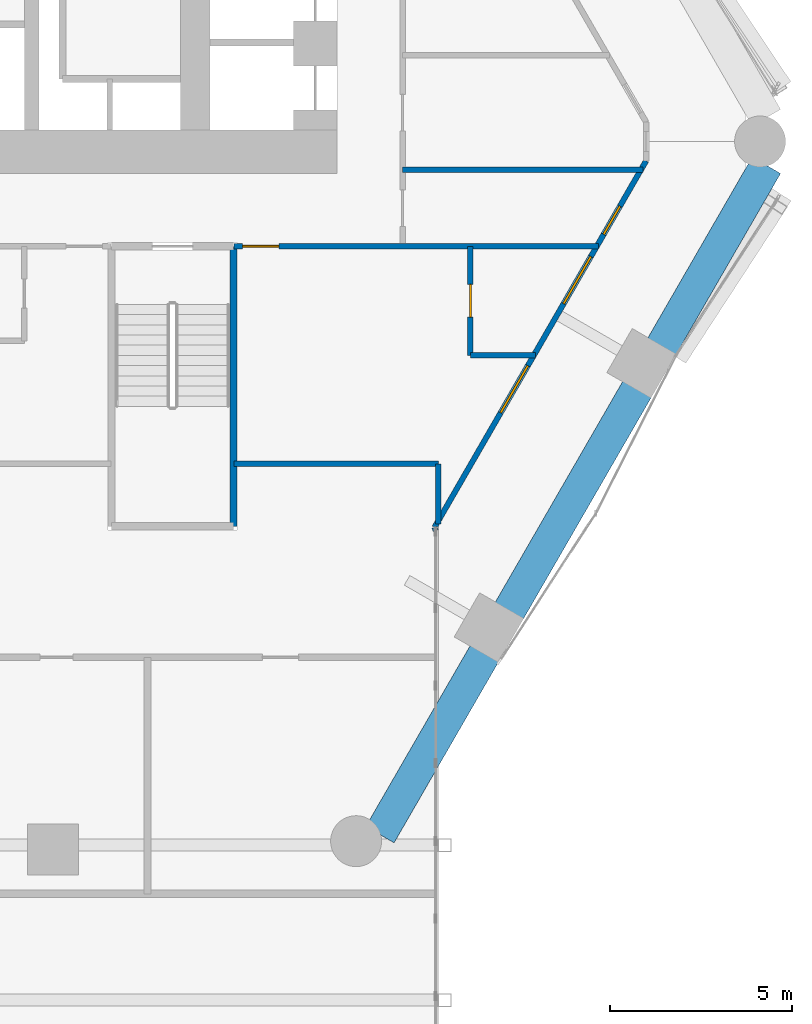
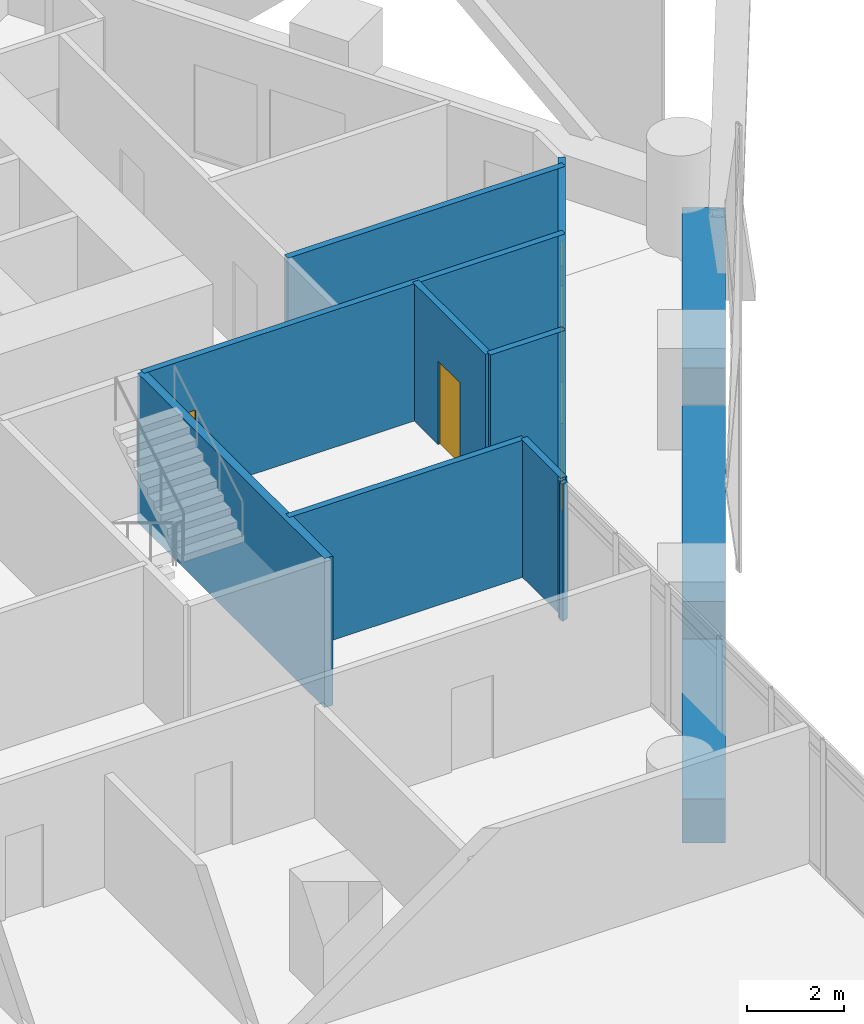
# One storey, part 27 of 35: 12 walls, 3 windows, 2 doors, 5 openings.
"""IFC4 building model written with IfcOpenShell, lengths in metres."""

from ifc_helpers import new_model, si_unit, direction, frame, frame_2d, origin, place, context, subcontext, project, spatial, rectangle, extrude, material, layer, layer_set, type_object, element, fill, save


model = new_model("IFC4")

# Units and contexts
model_context = context("Model", 3, precision=1e-05, world=origin(), true_north=direction((0.0, 1.0)))
body_context = subcontext(model_context, "Body", "Model", "MODEL_VIEW")
ifc_project = project(units=[si_unit("LENGTHUNIT", "METRE"), si_unit("AREAUNIT", "SQUARE_METRE"), si_unit("VOLUMEUNIT", "CUBIC_METRE"), si_unit("PLANEANGLEUNIT", "RADIAN"), si_unit("MASSUNIT", "GRAM", prefix="KILO")], contexts=[model_context])

# Site, building, storey
site_placement = place(None, origin())
site = spatial("IfcSite", under=ifc_project, at=site_placement, CompositionType="ELEMENT")
building_placement = place(site_placement, origin())
building = spatial("IfcBuilding", under=site, at=building_placement, Name="Ostrander Bayou Hotel Tower", CompositionType="ELEMENT")
storey_placement = place(building_placement, frame((0.0, 0.0, 69.25)))
storey = spatial("IfcBuildingStorey", under=building, at=storey_placement, Name="L17", CompositionType="ELEMENT", Elevation=69.25)

# Wall, openings, windows
ifc_material_1 = material(Name="Aluminium framed insulated wall", Category="aluminium")
ifc_layer_1 = layer(ifc_material_1, 0.14990234375)
ifc_layer_set_1 = layer_set([ifc_layer_1], Name="GW1 glass-line wall 150 mm")
wall_type_1 = type_object("IfcWallType", Name="GW1 glass-line wall 150 mm", PredefinedType="SOLIDWALL", material=ifc_layer_set_1)
wall_1_placement = place(storey_placement, frame((14.678955078125, -11.42529296875, 0.0), z_axis=(0.0, 0.0, 1.0), x_axis=(0.500010091595, 0.866019577321, 0.0)))
wall_1 = element("IfcWall", 1, at=wall_1_placement, inside=storey, type_object=wall_type_1, Name="GW1 L17 SE 1", PredefinedType="SOLIDWALL", context=body_context, shape_type="SweptSolid", body=[
    extrude(rectangle(XDim=11.633056640625, YDim=0.14990234375, at=frame_2d((5.81640625, 0.0))), origin(), (0.0, 0.0, 1.0), 3.449951171875),
])
opening_1_placement = place(wall_1_placement, frame((3.63232421875, 0.0, 0.14990234375)))
opening_1 = element("IfcOpeningElement", 2, at=opening_1_placement, cuts=wall_1, Name="Opening W11", PredefinedType="OPENING", context=body_context, shape_type="SweptSolid", body=[
    extrude(rectangle(XDim=1.5, YDim=2.199951171875, at=frame_2d((0.75, 1.10009765625))), frame((0.0, 0.074951171875, 0.0), z_axis=(0.0, -1.0, 0.0), x_axis=(1.0, 0.0, 0.0)), (0.0, 0.0, 1.0), 0.14990234375),
])
opening_2_placement = place(wall_1_placement, frame((9.29638671875, 0.0, 0.14990234375)))
opening_2 = element("IfcOpeningElement", 3, at=opening_2_placement, cuts=wall_1, Name="Opening W15", PredefinedType="OPENING", context=body_context, shape_type="SweptSolid", body=[
    extrude(rectangle(XDim=0.89990234375, YDim=2.199951171875, at=frame_2d((0.449951171875, 1.10009765625))), frame((0.0, 0.074951171875, 0.0), z_axis=(0.0, -1.0, 0.0), x_axis=(1.0, 0.0, 0.0)), (0.0, 0.0, 1.0), 0.14990234375),
])
opening_3_placement = place(wall_1_placement, frame((7.09619140625, 0.0, 0.14990234375)))
opening_3 = element("IfcOpeningElement", 4, at=opening_3_placement, cuts=wall_1, Name="Opening W11", PredefinedType="OPENING", context=body_context, shape_type="SweptSolid", body=[
    extrude(rectangle(XDim=1.5, YDim=2.199951171875, at=frame_2d((0.75, 1.10009765625))), frame((0.0, 0.074951171875, 0.0), z_axis=(0.0, -1.0, 0.0), x_axis=(1.0, 0.0, 0.0)), (0.0, 0.0, 1.0), 0.14990234375),
])
ifc_material_2 = material(Name="Aluminium and clear glass", Category="aluminium")
window_type_1 = type_object("IfcWindowType", Name="W11 fixed window 1500 mm, bath bay, zone 1", PartitioningType="SINGLE_PANEL", PredefinedType="WINDOW", material=ifc_material_2)
window_1_placement = place(opening_1_placement, origin())
window_1 = element("IfcWindow", 5, at=window_1_placement, inside=storey, type_object=window_type_1, Name="W11 L17 SE 3", OverallHeight=2.199951171875, OverallWidth=1.5, PartitioningType="SINGLE_PANEL", PredefinedType="WINDOW", context=body_context, shape_type="SweptSolid", body=[
    extrude(rectangle(XDim=1.5, YDim=2.199951171875, at=frame_2d((0.75, 1.10009765625))), frame((0.0, 0.030029296875, 0.0), z_axis=(0.0, -1.0, 0.0), x_axis=(1.0, 0.0, 0.0)), (0.0, 0.0, 1.0), 0.06005859375),
])
fill(opening_1, window_1)
window_2_placement = place(opening_3_placement, origin())
window_2 = element("IfcWindow", 6, at=window_2_placement, inside=storey, type_object=window_type_1, Name="W11 L17 SE 4", OverallHeight=2.199951171875, OverallWidth=1.5, PartitioningType="SINGLE_PANEL", PredefinedType="WINDOW", context=body_context, shape_type="SweptSolid", body=[
    extrude(rectangle(XDim=1.5, YDim=2.199951171875, at=frame_2d((0.75, 1.10009765625))), frame((0.0, 0.030029296875, 0.0), z_axis=(0.0, -1.0, 0.0), x_axis=(1.0, 0.0, 0.0)), (0.0, 0.0, 1.0), 0.06005859375),
])
fill(opening_3, window_2)
ifc_material_3 = material(Name="Aluminium and clear glass", Category="aluminium")
window_type_2 = type_object("IfcWindowType", Name="W15 window 900 mm, zone 1", PartitioningType="SINGLE_PANEL", PredefinedType="WINDOW", material=ifc_material_3)
window_3_placement = place(opening_2_placement, origin())
window_3 = element("IfcWindow", 7, at=window_3_placement, inside=storey, type_object=window_type_2, Name="W15 L17 SE 4", OverallHeight=2.199951171875, OverallWidth=0.89990234375, PartitioningType="SINGLE_PANEL", PredefinedType="WINDOW", context=body_context, shape_type="SweptSolid", body=[
    extrude(rectangle(XDim=0.89990234375, YDim=2.199951171875, at=frame_2d((0.449951171875, 1.10009765625))), frame((0.0, 0.030029296875, 0.0), z_axis=(0.0, -1.0, 0.0), x_axis=(1.0, 0.0, 0.0)), (0.0, 0.0, 1.0), 0.06005859375),
])
fill(opening_2, window_3)

# Walls
wall_2_placement = place(storey_placement, frame((14.678955078125, -11.42529296875, 0.0), z_axis=(0.0, 0.0, 1.0), x_axis=(0.338543167143, -0.940950861619, 0.0)))
element("IfcWall", 8, at=wall_2_placement, inside=storey, type_object=wall_type_1, Name="GW1 L17 bar joint 2", PredefinedType="SOLIDWALL", context=body_context, shape_type="SweptSolid", body=[
    extrude(rectangle(XDim=0.09814453125, YDim=0.14990234375, at=frame_2d((0.049072265625, 0.0))), origin(), (0.0, 0.0, 1.0), 3.449951171875),
])
ifc_material_4 = material(Name="Limestone masonry", Category="masonry")
ifc_layer_2 = layer(ifc_material_4, 0.89990234375)
ifc_layer_set_2 = layer_set([ifc_layer_2], Name="PA2 limestone parapet 900 mm")
wall_type_2 = type_object("IfcWallType", Name="PA2 limestone parapet 900 mm", PredefinedType="PARAPET", material=ifc_layer_set_2)
wall_3_placement = place(storey_placement, frame((13.177490234375, -19.875732421875, 0.0), z_axis=(0.0, 0.0, 1.0), x_axis=(0.500014818852, 0.866016847947, 0.0)))
element("IfcWall", 9, at=wall_3_placement, inside=storey, type_object=wall_type_2, Name="PA2 L17 SE-1", PredefinedType="PARAPET", context=body_context, shape_type="SweptSolid", body=[
    extrude(rectangle(XDim=5.758544921875, YDim=0.89990234375, at=frame_2d((2.87939453125, 0.0))), origin(), (0.0, 0.0, 1.0), 1.10009765625),
])
wall_4_placement = place(storey_placement, frame((16.726806640625, -13.72802734375, 0.0), z_axis=(0.0, 0.0, 1.0), x_axis=(0.499997206141, 0.866027016814, 0.0)))
element("IfcWall", 10, at=wall_4_placement, inside=storey, type_object=wall_type_2, Name="PA2 L17 SE-2", PredefinedType="PARAPET", context=body_context, shape_type="SweptSolid", body=[
    extrude(rectangle(XDim=7.05078125, YDim=0.89990234375, at=frame_2d((3.525390625, 0.0))), origin(), (0.0, 0.0, 1.0), 1.10009765625),
])
wall_5_placement = place(storey_placement, frame((20.92236328125, -6.46142578125, 0.0), z_axis=(0.0, 0.0, 1.0), x_axis=(0.499996461177, 0.866027446915, 0.0)))
element("IfcWall", 11, at=wall_5_placement, inside=storey, type_object=wall_type_2, Name="PA2 L17 SE-3", PredefinedType="PARAPET", context=body_context, shape_type="SweptSolid", body=[
    extrude(rectangle(XDim=5.7587890625, YDim=0.89990234375, at=frame_2d((2.87939453125, 0.0))), origin(), (0.0, 0.0, 1.0), 1.10009765625),
])
ifc_material_5 = material(Name="Gypsum board partition", Category="finish")
ifc_layer_3 = layer(ifc_material_5, 0.14990234375)
ifc_layer_set_3 = layer_set([ifc_layer_3], Name="PT8 service band wall 150 mm, 1 hour")
wall_type_3 = type_object("IfcWallType", Name="PT8 service band wall 150 mm, 1 hour", PredefinedType="PARTITIONING", material=ifc_layer_set_3)
wall_6_placement = place(storey_placement, frame((9.159912109375, -9.679931640625, 0.0), z_axis=(0.0, 0.0, 1.0), x_axis=(1.0, 0.0, 0.0)))
element("IfcWall", 12, at=wall_6_placement, inside=storey, type_object=wall_type_3, Name="gw:L17:003", PredefinedType="PARTITIONING", context=body_context, shape_type="SweptSolid", body=[
    extrude(rectangle(XDim=5.625, YDim=0.14990234375, at=frame_2d((2.8125, 0.0))), origin(), (0.0, 0.0, 1.0), 3.449951171875),
])
wall_7_placement = place(storey_placement, frame((15.6650390625, -6.699951171875, 0.0), z_axis=(0.0, 0.0, 1.0), x_axis=(1.0, 0.0, 0.0)))
element("IfcWall", 13, at=wall_7_placement, inside=storey, type_object=wall_type_3, Name="gw:L17:005", PredefinedType="PARTITIONING", context=body_context, shape_type="SweptSolid", body=[
    extrude(rectangle(XDim=1.7939453125, YDim=0.14990234375, at=frame_2d((0.89697265625, 0.0))), origin(), (0.0, 0.0, 1.0), 3.449951171875),
])

# Wall, opening, door
wall_8_placement = place(storey_placement, frame((9.159912109375, -3.699951171875, 0.0), z_axis=(0.0, 0.0, 1.0), x_axis=(1.0, 0.0, 0.0)))
wall_8 = element("IfcWall", 14, at=wall_8_placement, inside=storey, type_object=wall_type_3, Name="gw:L17:010", PredefinedType="PARTITIONING", context=body_context, shape_type="SweptSolid", body=[
    extrude(rectangle(XDim=10.031005859375, YDim=0.14990234375, at=frame_2d((5.015625, 0.0))), origin(), (0.0, 0.0, 1.0), 3.449951171875),
])
opening_4_placement = place(wall_8_placement, frame((0.239990234375, 0.0, 0.0)))
opening_4 = element("IfcOpeningElement", 15, at=opening_4_placement, cuts=wall_8, Name="Opening T16-405", PredefinedType="OPENING", context=body_context, shape_type="SweptSolid", body=[
    extrude(rectangle(XDim=1.0, YDim=2.10009765625, at=frame_2d((0.5, 1.050048828125))), frame((0.0, 0.074951171875, 0.0), z_axis=(0.0, -1.0, 0.0), x_axis=(1.0, 0.0, 0.0)), (0.0, 0.0, 1.0), 0.14990234375),
])
ifc_material_6 = material(Name="Timber door leaf", Category="wood")
door_type_1 = type_object("IfcDoorType", Name="D1 guest room door 1000 x 2100 mm, 30 minute", OperationType="SINGLE_SWING_LEFT", PredefinedType="DOOR", material=ifc_material_6)
door_1_placement = place(opening_4_placement, origin())
door_1 = element("IfcDoor", 16, at=door_1_placement, inside=storey, type_object=door_type_1, Name="dr:L17:405", OperationType="SINGLE_SWING_LEFT", OverallHeight=2.10009765625, OverallWidth=1.0, PredefinedType="DOOR", context=body_context, shape_type="SweptSolid", body=[
    extrude(rectangle(XDim=1.0, YDim=2.10009765625, at=frame_2d((0.5, 1.050048828125))), frame((0.0, 0.02490234375, 0.0), z_axis=(0.0, -1.0, 0.0), x_axis=(1.0, 0.0, 0.0)), (0.0, 0.0, 1.0), 0.050048828125),
])
fill(opening_4, door_1)

# Wall
wall_9_placement = place(storey_placement, frame((13.800048828125, -1.60009765625, 0.0), z_axis=(0.0, 0.0, 1.0), x_axis=(1.0, 0.0, 0.0)))
element("IfcWall", 17, at=wall_9_placement, inside=storey, type_object=wall_type_3, Name="gw:L17:012", PredefinedType="PARTITIONING", context=body_context, shape_type="SweptSolid", body=[
    extrude(rectangle(XDim=6.60400390625, YDim=0.14990234375, at=frame_2d((3.302001953125, 0.0))), origin(), (0.0, 0.0, 1.0), 3.449951171875),
])

# Wall, opening, door
wall_10_placement = place(storey_placement, frame((15.6650390625, -6.699951171875, 0.0), z_axis=(0.0, 0.0, 1.0), x_axis=(0.0, 1.0, 0.0)))
wall_10 = element("IfcWall", 18, at=wall_10_placement, inside=storey, type_object=wall_type_3, Name="gw:L17:018", PredefinedType="PARTITIONING", context=body_context, shape_type="SweptSolid", body=[
    extrude(rectangle(XDim=3.0, YDim=0.14990234375, at=frame_2d((1.5, 0.0))), origin(), (0.0, 0.0, 1.0), 3.449951171875),
])
opening_5_placement = place(wall_10_placement, frame((1.050048828125, 0.0, 0.0)))
opening_5 = element("IfcOpeningElement", 19, at=opening_5_placement, cuts=wall_10, Name="Opening T16-406", PredefinedType="OPENING", context=body_context, shape_type="SweptSolid", body=[
    extrude(rectangle(XDim=0.89990234375, YDim=2.10009765625, at=frame_2d((0.449951171875, 1.050048828125))), frame((0.0, 0.074951171875, 0.0), z_axis=(0.0, -1.0, 0.0), x_axis=(1.0, 0.0, 0.0)), (0.0, 0.0, 1.0), 0.14990234375),
])
ifc_material_7 = material(Name="Timber door leaf", Category="wood")
door_type_2 = type_object("IfcDoorType", Name="D14 bathroom door 900 x 2100 mm", OperationType="SINGLE_SWING_LEFT", PredefinedType="DOOR", material=ifc_material_7)
door_2_placement = place(opening_5_placement, origin())
door_2 = element("IfcDoor", 20, at=door_2_placement, inside=storey, type_object=door_type_2, Name="dr:L17:406", OperationType="SINGLE_SWING_RIGHT", OverallHeight=2.10009765625, OverallWidth=0.89990234375, PredefinedType="DOOR", context=body_context, shape_type="SweptSolid", body=[
    extrude(rectangle(XDim=0.89990234375, YDim=2.10009765625, at=frame_2d((0.449951171875, 1.050048828125))), frame((0.0, 0.02490234375, 0.0), z_axis=(0.0, -1.0, 0.0), x_axis=(1.0, 0.0, 0.0)), (0.0, 0.0, 1.0), 0.050048828125),
])
fill(opening_5, door_2)

# Walls
wall_11_placement = place(storey_placement, frame((14.784912109375, -11.33203125, 0.0), z_axis=(0.0, 0.0, 1.0), x_axis=(0.0, 1.0, 0.0)))
element("IfcWall", 21, at=wall_11_placement, inside=storey, type_object=wall_type_3, Name="gw:L17:019", PredefinedType="PARTITIONING", context=body_context, shape_type="SweptSolid", body=[
    extrude(rectangle(XDim=1.652099609375, YDim=0.14990234375, at=frame_2d((0.826171875, 0.0))), origin(), (0.0, 0.0, 1.0), 3.449951171875),
])
ifc_material_8 = material(Name="Concrete f'c 45 MPa", Category="concrete")
ifc_layer_4 = layer(ifc_material_8, 0.199951171875)
ifc_layer_set_4 = layer_set([ifc_layer_4], Name="SW5 stair enclosure wall 200 mm f'c 45 MPa")
wall_type_4 = type_object("IfcWallType", Name="SW5 stair enclosure wall 200 mm f'c 45 MPa", PredefinedType="SOLIDWALL", material=ifc_layer_set_4)
wall_12_placement = place(storey_placement, frame((9.14990234375, -3.699951171875, -0.300048828125), z_axis=(0.0, 0.0, 1.0), x_axis=(0.0, -1.0, 0.0)))
element("IfcWall", 22, at=wall_12_placement, inside=storey, type_object=wall_type_4, Name="cs:L17:017", PredefinedType="SOLIDWALL", context=body_context, shape_type="SweptSolid", body=[
    extrude(rectangle(XDim=7.699951171875, YDim=0.199951171875, at=frame_2d((3.85009765625, 0.0))), origin(), (0.0, 0.0, 1.0), 3.75),
])

save(model, "model.ifc")
